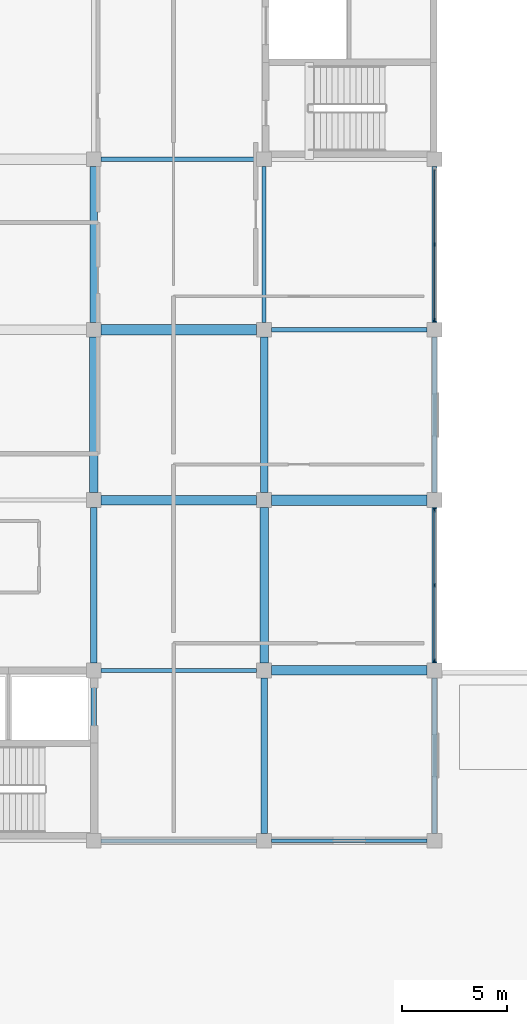
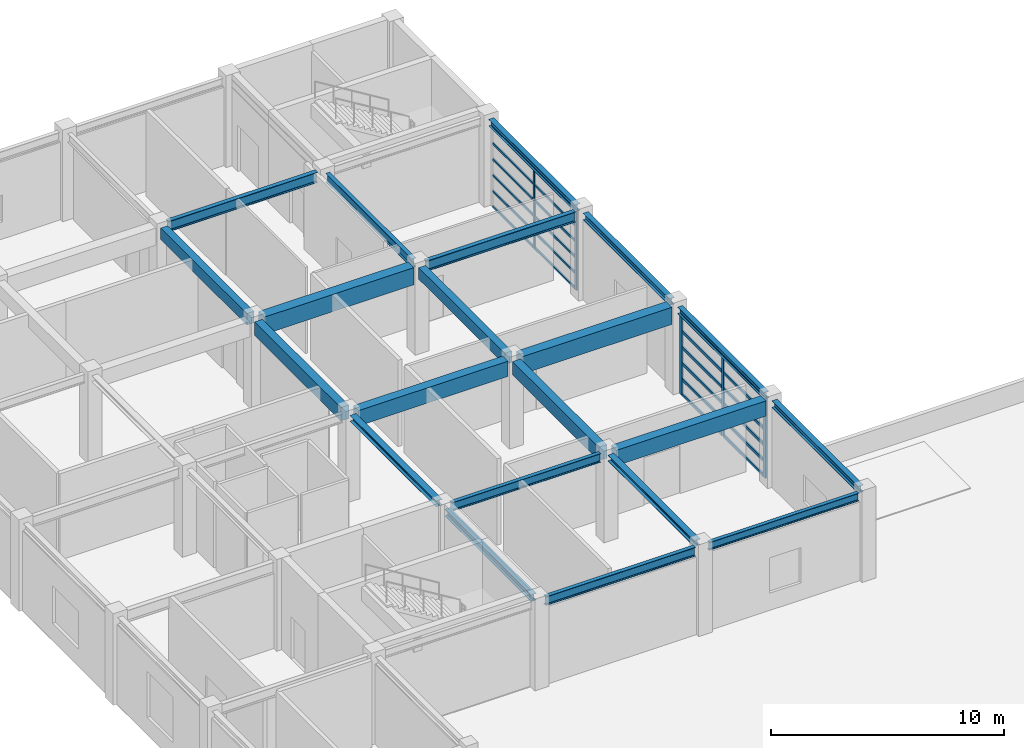
# One storey, part 29 of 56: 29 members, 21 beams, 2 elements without a shape of their own.
"""IFC4 building model written with IfcOpenShell, lengths in metres."""

import ifcopenshell
import ifcopenshell.guid

model = None  # the IFC model being written
_history = None  # IfcOwnerHistory: only IFC2X3 demands one
_inside = {}  # id of a spatial element -> (the spatial element, [elements in it])
_under = {}  # id of a project, library or spatial element -> (it, [spatial elements below it])
_declared = {}  # id of a project -> (the project, [libraries it declares])
_typed = {}  # id of a type object -> (the type object, [elements of that type])
_made_of = {}  # id of a material, layer set ... -> (it, [elements and type objects made of it])


def new_model(schema):
    """Start an empty IFC model of exactly this schema.

    Asked for "IFC4X3", IfcOpenShell would pick the latest addendum, in which some entities
    have other attributes; the version numbers below select the first issue.
    IFC2X3 requires an IfcOwnerHistory on every rooted entity: one is made here for all.
    """
    global model, _history
    if schema == "IFC4X3":
        model = ifcopenshell.file(schema_version=(4, 3, 0, 0))
    else:
        model = ifcopenshell.file(schema=schema)
    _inside.clear()
    _under.clear()
    _declared.clear()
    _typed.clear()
    _made_of.clear()
    _history = None
    if model.schema == "IFC2X3":
        org = make("IfcOrganization", Name="unknown")
        user = make(
            "IfcPersonAndOrganization",
            ThePerson=make("IfcPerson", FamilyName="unknown"),
            TheOrganization=org,
        )
        app = make(
            "IfcApplication",
            ApplicationDeveloper=org,
            Version="unknown",
            ApplicationFullName="unknown",
            ApplicationIdentifier="unknown",
        )
        _history = make(
            "IfcOwnerHistory",
            OwningUser=user,
            OwningApplication=app,
            ChangeAction="ADDED",
            CreationDate=0,
        )
    return model


def make(cls, **values):
    """One entity of the class cls with the attributes given. An attribute that is None is left unset."""
    return model.create_entity(
        cls, **{name: value for name, value in values.items() if value is not None}
    )


def rooted(cls, **values):
    """An entity with a GlobalId (a new one), such as an element, a storey or a relation."""
    return make(cls, GlobalId=ifcopenshell.guid.new(), OwnerHistory=_history, **values)


def si_unit(unit_type, name, prefix=None):
    """IfcSIUnit, for example si_unit("LENGTHUNIT", "METRE", prefix="MILLI")."""
    return make("IfcSIUnit", UnitType=unit_type, Prefix=prefix, Name=name)


def assignment(units):
    """IfcUnitAssignment: the units of a project."""
    return None if units is None else make("IfcUnitAssignment", Units=units)


def point(xyz):
    """IfcCartesianPoint."""
    return None if xyz is None else make("IfcCartesianPoint", Coordinates=xyz)


def direction(xyz):
    """IfcDirection."""
    return None if xyz is None else make("IfcDirection", DirectionRatios=xyz)


def frame(location, z_axis=None, x_axis=None):
    """IfcAxis2Placement3D, a coordinate frame: its origin and axes. An axis left out is left unset."""
    return make(
        "IfcAxis2Placement3D",
        Location=point(location),
        Axis=direction(z_axis),
        RefDirection=direction(x_axis),
    )


def frame_2d(location, x_axis=None):
    """IfcAxis2Placement2D, a coordinate frame in the plane: its origin and x axis."""
    return make(
        "IfcAxis2Placement2D", Location=point(location), RefDirection=direction(x_axis)
    )


def origin():
    """The frame at (0, 0, 0) with its axes left unset."""
    return frame((0.0, 0.0, 0.0))


def origin_2d():
    """The frame at (0, 0) in the plane with its x axis left unset."""
    return frame_2d((0.0, 0.0))


def place(relative_to, where):
    """IfcLocalPlacement: puts the frame where relative to a parent placement (None: the world)."""
    return make(
        "IfcLocalPlacement", PlacementRelTo=relative_to, RelativePlacement=where
    )


def context(
    kind, dimensions, precision=None, world=None, true_north=None, identifier=None
):
    """IfcGeometricRepresentationContext, for example the 3D "Model" context."""
    return make(
        "IfcGeometricRepresentationContext",
        ContextIdentifier=identifier,
        ContextType=kind,
        CoordinateSpaceDimension=dimensions,
        Precision=precision,
        WorldCoordinateSystem=world,
        TrueNorth=true_north,
    )


def subcontext(parent, identifier, kind, view, scale=None):
    """IfcGeometricRepresentationSubContext, for example "Body" below "Model"."""
    return make(
        "IfcGeometricRepresentationSubContext",
        ContextIdentifier=identifier,
        ContextType=kind,
        ParentContext=parent,
        TargetScale=scale,
        TargetView=view,
    )


def project(units=None, contexts=None):
    """IfcProject with its units and contexts."""
    return rooted(
        "IfcProject",
        Name="project",
        RepresentationContexts=contexts,
        UnitsInContext=assignment(units),
    )


def spatial(cls, under=None, at=None, **own):
    """A site, building, storey or space (cls), placed at a placement, below another one or the project."""
    s = rooted(cls, ObjectPlacement=at, **own)
    if under is not None:
        _under.setdefault(under.id(), (under, []))[1].append(s)
    return s


def profile(cls, at=None, kind="AREA", **sizes):
    """A parametric profile (cls). Its sizes go by their IFC names, for example OverallWidth=200.0."""
    return make(cls, ProfileType=kind, Position=at, **sizes)


def rectangle(**sizes):
    """IfcRectangleProfileDef."""
    return profile("IfcRectangleProfileDef", **sizes)


def i_section(**sizes):
    """IfcIShapeProfileDef."""
    return profile("IfcIShapeProfileDef", **sizes)


def extrude(swept, where, along, depth):
    """IfcExtrudedAreaSolid: the profile swept, set in the frame where, extruded along a direction by depth."""
    return make(
        "IfcExtrudedAreaSolid",
        SweptArea=swept,
        Position=where,
        ExtrudedDirection=direction(along),
        Depth=depth,
    )


def shape(context_of_items, identifier, shape_type, items):
    """IfcShapeRepresentation: the items that make up one representation, for example the "Body"."""
    return make(
        "IfcShapeRepresentation",
        ContextOfItems=context_of_items,
        RepresentationIdentifier=identifier,
        RepresentationType=shape_type,
        Items=items,
    )


def material(Name=None, Category=None):
    """IfcMaterial."""
    return make("IfcMaterial", Name=Name, Category=Category)


def material_profile(
    of_material, cross_section, Name=None, Category=None, Priority=None
):
    """IfcMaterialProfile: a cross section and its material."""
    return make(
        "IfcMaterialProfile",
        Name=Name,
        Material=of_material,
        Profile=cross_section,
        Priority=Priority,
        Category=Category,
    )


def profile_set(profiles, Name=None, composite=None):
    """IfcMaterialProfileSet."""
    return make(
        "IfcMaterialProfileSet",
        Name=Name,
        MaterialProfiles=profiles,
        CompositeProfile=composite,
    )


def made_of(thing, what):
    """Note that an element or type object is made of a material, layer set ...; save() writes the relation."""
    if what is not None:
        _made_of.setdefault(what.id(), (what, []))[1].append(thing)
    return thing


def type_object(cls, material=None, **own):
    """A type object (cls), such as IfcWallType, which elements share."""
    return made_of(rooted(cls, **own), material)


def element(
    cls,
    number,
    at=None,
    inside=None,
    cuts=None,
    type_object=None,
    material=None,
    context=None,
    identifier="Body",
    shape_type=None,
    held_by="IfcProductDefinitionShape",
    body=None,
    shapes=None,
    **own,
):
    """One element of the class cls, such as IfcWall. Its Tag is "e" and its number.

    at: its placement. inside: the storey or other place that contains it. cuts: it is an
    opening in that element (IfcRelVoidsElement). A single representation is given by context,
    identifier, shape_type and body (its items); several are given by shapes. held_by: the class
    of the entity that holds the representations. save() writes the other relations.
    """
    e = rooted(cls, Tag="e%d" % number, ObjectPlacement=at, **own)
    if body is not None:
        shapes = [shape(context, identifier, shape_type, body)]
    if shapes is not None:
        e.Representation = make(held_by, Representations=shapes)
    if inside is not None:
        _inside.setdefault(inside.id(), (inside, []))[1].append(e)
    if cuts is not None:
        rooted(
            "IfcRelVoidsElement", RelatingBuildingElement=cuts, RelatedOpeningElement=e
        )
    if type_object is not None:
        _typed.setdefault(type_object.id(), (type_object, []))[1].append(e)
    return made_of(e, material)


def aggregate(whole, parts):
    """IfcRelAggregates: a whole, such as a stair, and the parts it consists of."""
    return rooted("IfcRelAggregates", RelatingObject=whole, RelatedObjects=parts)


def save(model, path):
    """Write the relations noted so far, then the file.

    IfcRelAggregates (storeys below a building ...), IfcRelContainedInSpatialStructure (elements
    in a storey), IfcRelDefinesByType, IfcRelAssociatesMaterial and IfcRelDeclares: one each for
    every whole, place, type object, material and project.
    """
    for whole, parts in _under.values():
        aggregate(whole, parts)
    for where, things in _inside.values():
        rooted(
            "IfcRelContainedInSpatialStructure",
            RelatedElements=things,
            RelatingStructure=where,
        )
    for kind, things in _typed.values():
        rooted("IfcRelDefinesByType", RelatedObjects=things, RelatingType=kind)
    for what, things in _made_of.values():
        rooted("IfcRelAssociatesMaterial", RelatedObjects=things, RelatingMaterial=what)
    for by, libraries in _declared.values():
        rooted("IfcRelDeclares", RelatingContext=by, RelatedDefinitions=libraries)
    model.write(path)


model = new_model("IFC4")

# Units and contexts
model_context = context("Model", 3, precision=1e-05, world=origin(), true_north=direction((0.0, 1.0)))
body_context = subcontext(model_context, "Body", "Model", "MODEL_VIEW")
ifc_project = project(units=[si_unit("LENGTHUNIT", "METRE"), si_unit("AREAUNIT", "SQUARE_METRE"), si_unit("VOLUMEUNIT", "CUBIC_METRE"), si_unit("PLANEANGLEUNIT", "RADIAN"), si_unit("MASSUNIT", "GRAM", prefix="KILO")], contexts=[model_context])

# Site, building, storey
site_placement = place(None, origin())
site = spatial("IfcSite", under=ifc_project, at=site_placement, CompositionType="ELEMENT")
building_placement = place(site_placement, origin())
building = spatial("IfcBuilding", under=site, at=building_placement, Name="Parian Resonance Hall", CompositionType="ELEMENT")
storey_placement = place(building_placement, frame((0.0, 0.0, 5.39990234375)))
storey = spatial("IfcBuildingStorey", under=building, at=storey_placement, Name="L01", CompositionType="ELEMENT", Elevation=5.39990234375)

# Beams
ifc_material_1 = material(Name="Concrete C40/50", Category="concrete")
ifc_material_profile_1 = material_profile(ifc_material_1, rectangle(XDim=0.35009765625, YDim=0.60009765625, at=origin_2d()), Name="RC-BM-350x600")
ifc_profile_set_1 = profile_set([ifc_material_profile_1], Name="Concrete C40/50")
beam_type_1 = type_object("IfcBeamType", Name="BM-RC350x600", PredefinedType="BEAM", material=ifc_profile_set_1)
beam_1_placement = place(storey_placement, frame((129.60009765625, 73.25, 4.22998046875), z_axis=(0.0, 1.0, 0.0), x_axis=(-1.0, 0.0, 0.0)))
element("IfcBeam", 1, at=beam_1_placement, inside=storey, type_object=beam_type_1, Name="GY-L01-0646", PredefinedType="BEAM", context=body_context, shape_type="SweptSolid", body=[
    extrude(rectangle(XDim=0.35009765625, YDim=0.60009765625, at=origin_2d()), origin(), (0.0, 0.0, 1.0), 7.39990234375),
])
beam_2_placement = place(storey_placement, frame((137.699951171875, 65.14990234375, 4.22998046875), z_axis=(0.0, 1.0, 0.0), x_axis=(-1.0, 0.0, 0.0)))
element("IfcBeam", 2, at=beam_2_placement, inside=storey, type_object=beam_type_1, Name="GY-L01-0650", PredefinedType="BEAM", context=body_context, shape_type="SweptSolid", body=[
    extrude(rectangle(XDim=0.35009765625, YDim=0.60009765625, at=origin_2d()), origin(), (0.0, 0.0, 1.0), 7.400146484375),
])
ifc_material_2 = material(Name="Concrete C40/50", Category="concrete")
ifc_material_profile_2 = material_profile(ifc_material_2, rectangle(XDim=0.39990234375, YDim=0.699951171875, at=origin_2d()), Name="RC-BM-400x700")
ifc_profile_set_2 = profile_set([ifc_material_profile_2], Name="Concrete C40/50")
beam_type_2 = type_object("IfcBeamType", Name="BM-RC400x700", PredefinedType="BEAM", material=ifc_profile_set_2)
beam_3_placement = place(storey_placement, frame((129.60009765625, 65.14990234375, 4.18017578125), z_axis=(0.0, 1.0, 0.0), x_axis=(-1.0, 0.0, 0.0)))
element("IfcBeam", 3, at=beam_3_placement, inside=storey, type_object=beam_type_2, Name="GY-L01-0645", PredefinedType="BEAM", context=body_context, shape_type="SweptSolid", body=[
    extrude(rectangle(XDim=0.39990234375, YDim=0.699951171875, at=origin_2d()), origin(), (0.0, 0.0, 1.0), 7.400146484375),
])
beam_4_placement = place(storey_placement, frame((137.699951171875, 57.050048828125, 4.18017578125), z_axis=(0.0, 1.0, 0.0), x_axis=(-1.0, 0.0, 0.0)))
element("IfcBeam", 4, at=beam_4_placement, inside=storey, type_object=beam_type_2, Name="GY-L01-0649", PredefinedType="BEAM", context=body_context, shape_type="SweptSolid", body=[
    extrude(rectangle(XDim=0.39990234375, YDim=0.699951171875, at=origin_2d()), origin(), (0.0, 0.0, 1.0), 7.39990234375),
])
ifc_material_3 = material(Name="Concrete C40/50", Category="concrete")
ifc_material_profile_3 = material_profile(ifc_material_3, rectangle(XDim=0.449951171875, YDim=0.800048828125, at=origin_2d()), Name="RC-BM-450x800")
ifc_profile_set_3 = profile_set([ifc_material_profile_3], Name="Concrete C40/50")
beam_type_3 = type_object("IfcBeamType", Name="BM-RC450x800", PredefinedType="USERDEFINED", material=ifc_profile_set_3)
beam_5_placement = place(storey_placement, frame((129.949951171875, 64.800048828125, 4.130126953125), z_axis=(1.0, 0.0, 0.0), x_axis=(0.0, 1.0, 0.0)))
element("IfcBeam", 5, at=beam_5_placement, inside=storey, type_object=beam_type_3, Name="GX-L01-0583", ObjectType="GIRDER", PredefinedType="USERDEFINED", context=body_context, shape_type="SweptSolid", body=[
    extrude(rectangle(XDim=0.449951171875, YDim=0.800048828125, at=origin_2d()), origin(), (0.0, 0.0, 1.0), 7.400146484375),
])
beam_6_placement = place(storey_placement, frame((138.050048828125, 56.699951171875, 4.130126953125), z_axis=(1.0, 0.0, 0.0), x_axis=(0.0, 1.0, 0.0)))
element("IfcBeam", 6, at=beam_6_placement, inside=storey, type_object=beam_type_3, Name="GX-L01-0588", ObjectType="GIRDER", PredefinedType="USERDEFINED", context=body_context, shape_type="SweptSolid", body=[
    extrude(rectangle(XDim=0.449951171875, YDim=0.800048828125, at=origin_2d()), origin(), (0.0, 0.0, 1.0), 7.39990234375),
])
ifc_material_4 = material(Name="Concrete C40/50", Category="concrete")
ifc_material_profile_4 = material_profile(ifc_material_4, rectangle(XDim=0.5, YDim=0.89990234375, at=origin_2d()), Name="RC-BM-500x900")
ifc_profile_set_4 = profile_set([ifc_material_profile_4], Name="Concrete C40/50")
beam_type_4 = type_object("IfcBeamType", Name="BM-RC500x900", PredefinedType="USERDEFINED", material=ifc_profile_set_4)
beam_7_placement = place(storey_placement, frame((129.949951171875, 72.89990234375, 4.080078125), z_axis=(1.0, 0.0, 0.0), x_axis=(0.0, 1.0, 0.0)))
element("IfcBeam", 7, at=beam_7_placement, inside=storey, type_object=beam_type_4, Name="GX-L01-0584", ObjectType="GIRDER", PredefinedType="USERDEFINED", context=body_context, shape_type="SweptSolid", body=[
    extrude(rectangle(XDim=0.5, YDim=0.89990234375, at=origin_2d()), origin(), (0.0, 0.0, 1.0), 7.400146484375),
])
beam_8_placement = place(storey_placement, frame((138.050048828125, 64.800048828125, 4.080078125), z_axis=(1.0, 0.0, 0.0), x_axis=(0.0, 1.0, 0.0)))
element("IfcBeam", 8, at=beam_8_placement, inside=storey, type_object=beam_type_4, Name="GX-L01-0589", ObjectType="GIRDER", PredefinedType="USERDEFINED", context=body_context, shape_type="SweptSolid", body=[
    extrude(rectangle(XDim=0.5, YDim=0.89990234375, at=origin_2d()), origin(), (0.0, 0.0, 1.0), 7.39990234375),
])
ifc_material_5 = material(Name="Steel S355", Category="steel")
ifc_material_profile_5 = material_profile(ifc_material_5, i_section(OverallWidth=0.304931640625, OverallDepth=0.30810546875, WebThickness=0.010009765625, FlangeThickness=0.015380859375, FilletRadius=0.01513671875, at=origin_2d()), Name="W310x97")
ifc_profile_set_5 = profile_set([ifc_material_profile_5], Name="Steel S355")
beam_type_5 = type_object("IfcBeamType", Name="BM-W310x97", PredefinedType="BEAM", material=ifc_profile_set_5)
beam_9_placement = place(storey_placement, frame((129.60009765625, 57.050048828125, 4.3759765625), z_axis=(0.0, 1.0, 0.0), x_axis=(-1.0, 0.0, 0.0)))
element("IfcBeam", 9, at=beam_9_placement, inside=storey, type_object=beam_type_5, Name="GY-L01-0644", PredefinedType="BEAM", context=body_context, shape_type="SweptSolid", body=[
    extrude(i_section(OverallWidth=0.304931640625, OverallDepth=0.30810546875, WebThickness=0.010009765625, FlangeThickness=0.015380859375, FilletRadius=0.01513671875, at=origin_2d()), origin(), (0.0, 0.0, 1.0), 7.39990234375),
])
beam_10_placement = place(storey_placement, frame((137.699951171875, 48.949951171875, 4.3759765625), z_axis=(0.0, 1.0, 0.0), x_axis=(-1.0, 0.0, 0.0)))
element("IfcBeam", 10, at=beam_10_placement, inside=storey, type_object=beam_type_5, Name="GY-L01-0648", PredefinedType="BEAM", context=body_context, shape_type="SweptSolid", body=[
    extrude(i_section(OverallWidth=0.304931640625, OverallDepth=0.30810546875, WebThickness=0.010009765625, FlangeThickness=0.015380859375, FilletRadius=0.01513671875, at=origin_2d()), origin(), (0.0, 0.0, 1.0), 7.400146484375),
])
ifc_material_6 = material(Name="Steel S355", Category="steel")
ifc_material_profile_6 = material_profile(ifc_material_6, i_section(OverallWidth=0.2548828125, OverallDepth=0.35693359375, WebThickness=0.010498046875, FlangeThickness=0.018310546875, FilletRadius=0.01513671875, at=origin_2d()), Name="W360x101")
ifc_profile_set_6 = profile_set([ifc_material_profile_6], Name="Steel S355")
beam_type_6 = type_object("IfcBeamType", Name="BM-W360x101", PredefinedType="SPANDREL", material=ifc_profile_set_6)
for number, where, z_axis, x_axis, name in (
    (11, (129.60009765625, 48.949951171875, 4.3515625), (0.0, 1.0, 0.0), (-1.0, 0.0, 0.0), "GY-L01-0643"),
    (12, (145.800048828125, 48.949951171875, 4.3515625), (0.0, 1.0, 0.0), (-1.0, 0.0, 0.0), "GY-L01-0653"),
):
    element("IfcBeam", number, at=place(storey_placement, frame(where, z_axis=z_axis, x_axis=x_axis)), inside=storey, type_object=beam_type_6, Name=name, PredefinedType="SPANDREL", context=body_context, shape_type="SweptSolid", body=[
        extrude(i_section(OverallWidth=0.2548828125, OverallDepth=0.35693359375, WebThickness=0.010498046875, FlangeThickness=0.018310546875, FilletRadius=0.01513671875, at=origin_2d()), origin(), (0.0, 0.0, 1.0), 7.400146484375),
    ])
beam_11_placement = place(storey_placement, frame((145.800048828125, 57.050048828125, 4.3515625), z_axis=(0.0, 1.0, 0.0), x_axis=(-1.0, 0.0, 0.0)))
element("IfcBeam", 13, at=beam_11_placement, inside=storey, type_object=beam_type_6, Name="GY-L01-0654", PredefinedType="SPANDREL", context=body_context, shape_type="SweptSolid", body=[
    extrude(i_section(OverallWidth=0.2548828125, OverallDepth=0.35693359375, WebThickness=0.010498046875, FlangeThickness=0.018310546875, FilletRadius=0.01513671875, at=origin_2d()), origin(), (0.0, 0.0, 1.0), 7.39990234375),
])
beam_12_placement = place(storey_placement, frame((145.800048828125, 65.14990234375, 4.3515625), z_axis=(0.0, 1.0, 0.0), x_axis=(-1.0, 0.0, 0.0)))
element("IfcBeam", 14, at=beam_12_placement, inside=storey, type_object=beam_type_6, Name="GY-L01-0655", PredefinedType="SPANDREL", context=body_context, shape_type="SweptSolid", body=[
    extrude(i_section(OverallWidth=0.2548828125, OverallDepth=0.35693359375, WebThickness=0.010498046875, FlangeThickness=0.018310546875, FilletRadius=0.01513671875, at=origin_2d()), origin(), (0.0, 0.0, 1.0), 7.400146484375),
])
beam_13_placement = place(storey_placement, frame((145.800048828125, 73.25, 4.3515625), z_axis=(0.0, 1.0, 0.0), x_axis=(-1.0, 0.0, 0.0)))
element("IfcBeam", 15, at=beam_13_placement, inside=storey, type_object=beam_type_6, Name="GY-L01-0656", PredefinedType="SPANDREL", context=body_context, shape_type="SweptSolid", body=[
    extrude(i_section(OverallWidth=0.2548828125, OverallDepth=0.35693359375, WebThickness=0.010498046875, FlangeThickness=0.018310546875, FilletRadius=0.01513671875, at=origin_2d()), origin(), (0.0, 0.0, 1.0), 7.39990234375),
])
ifc_material_7 = material(Name="Steel S355", Category="steel")
ifc_material_profile_7 = material_profile(ifc_material_7, i_section(OverallWidth=0.180908203125, OverallDepth=0.4169921875, WebThickness=0.010986328125, FlangeThickness=0.018310546875, FilletRadius=0.01513671875, at=origin_2d()), Name="W410x85")
ifc_profile_set_7 = profile_set([ifc_material_profile_7], Name="Steel S355")
beam_type_7 = type_object("IfcBeamType", Name="BM-W410x85", PredefinedType="SPANDREL", material=ifc_profile_set_7)
beam_14_placement = place(storey_placement, frame((138.050048828125, 48.60009765625, 4.321533203125), z_axis=(1.0, 0.0, 0.0), x_axis=(0.0, 1.0, 0.0)))
element("IfcBeam", 16, at=beam_14_placement, inside=storey, type_object=beam_type_7, Name="GX-L01-0587", PredefinedType="SPANDREL", context=body_context, shape_type="SweptSolid", body=[
    extrude(i_section(OverallWidth=0.180908203125, OverallDepth=0.4169921875, WebThickness=0.010986328125, FlangeThickness=0.018310546875, FilletRadius=0.01513671875, at=origin_2d()), origin(), (0.0, 0.0, 1.0), 7.39990234375),
])
ifc_material_8 = material(Name="Steel S355", Category="steel")
ifc_material_profile_8 = material_profile(ifc_material_8, i_section(OverallWidth=0.194091796875, OverallDepth=0.468994140625, WebThickness=0.0126953125, FlangeThickness=0.0205078125, FilletRadius=0.01513671875, at=origin_2d()), Name="W460x106")
ifc_profile_set_8 = profile_set([ifc_material_profile_8], Name="Steel S355")
beam_type_8 = type_object("IfcBeamType", Name="BM-W460x106", PredefinedType="SPANDREL", material=ifc_profile_set_8)
beam_15_placement = place(storey_placement, frame((129.949951171875, 48.60009765625, 4.295654296875), z_axis=(1.0, 0.0, 0.0), x_axis=(0.0, 1.0, 0.0)))
element("IfcBeam", 17, at=beam_15_placement, inside=storey, type_object=beam_type_8, Name="GX-L01-0581", PredefinedType="SPANDREL", context=body_context, shape_type="SweptSolid", body=[
    extrude(i_section(OverallWidth=0.194091796875, OverallDepth=0.468994140625, WebThickness=0.0126953125, FlangeThickness=0.0205078125, FilletRadius=0.01513671875, at=origin_2d()), origin(), (0.0, 0.0, 1.0), 7.400146484375),
])
beam_16_placement = place(storey_placement, frame((137.699951171875, 73.25, 4.295654296875), z_axis=(0.0, 1.0, 0.0), x_axis=(-1.0, 0.0, 0.0)))
element("IfcBeam", 18, at=beam_16_placement, inside=storey, type_object=beam_type_8, Name="GY-L01-0651", PredefinedType="SPANDREL", context=body_context, shape_type="SweptSolid", body=[
    extrude(i_section(OverallWidth=0.194091796875, OverallDepth=0.468994140625, WebThickness=0.0126953125, FlangeThickness=0.0205078125, FilletRadius=0.01513671875, at=origin_2d()), origin(), (0.0, 0.0, 1.0), 7.39990234375),
])
ifc_material_9 = material(Name="Steel S355", Category="steel")
ifc_material_profile_9 = material_profile(ifc_material_9, i_section(OverallWidth=0.19091796875, OverallDepth=0.4599609375, WebThickness=0.010009765625, FlangeThickness=0.01611328125, FilletRadius=0.01513671875, at=origin_2d()), Name="W460x82")
ifc_profile_set_9 = profile_set([ifc_material_profile_9], Name="Steel S355")
beam_type_9 = type_object("IfcBeamType", Name="BM-W460x82", PredefinedType="BEAM", material=ifc_profile_set_9)
beam_17_placement = place(storey_placement, frame((129.949951171875, 56.699951171875, 4.300048828125), z_axis=(1.0, 0.0, 0.0), x_axis=(0.0, 1.0, 0.0)))
element("IfcBeam", 19, at=beam_17_placement, inside=storey, type_object=beam_type_9, Name="GX-L01-0582", PredefinedType="BEAM", context=body_context, shape_type="SweptSolid", body=[
    extrude(i_section(OverallWidth=0.19091796875, OverallDepth=0.4599609375, WebThickness=0.010009765625, FlangeThickness=0.01611328125, FilletRadius=0.01513671875, at=origin_2d()), origin(), (0.0, 0.0, 1.0), 7.400146484375),
])
ifc_material_10 = material(Name="Steel S355", Category="steel")
ifc_material_profile_10 = material_profile(ifc_material_10, i_section(OverallWidth=0.2119140625, OverallDepth=0.5439453125, WebThickness=0.01318359375, FlangeThickness=0.021240234375, FilletRadius=0.017822265625, at=origin_2d()), Name="W530x123")
ifc_profile_set_10 = profile_set([ifc_material_profile_10], Name="Steel S355")
beam_type_10 = type_object("IfcBeamType", Name="BM-W530x123", PredefinedType="USERDEFINED", material=ifc_profile_set_10)
beam_18_placement = place(storey_placement, frame((129.949951171875, 81.0, 4.258056640625), z_axis=(1.0, 0.0, 0.0), x_axis=(0.0, 1.0, 0.0)))
element("IfcBeam", 20, at=beam_18_placement, inside=storey, type_object=beam_type_10, Name="GX-L01-0585", ObjectType="GIRDER", PredefinedType="USERDEFINED", context=body_context, shape_type="SweptSolid", body=[
    extrude(i_section(OverallWidth=0.2119140625, OverallDepth=0.5439453125, WebThickness=0.01318359375, FlangeThickness=0.021240234375, FilletRadius=0.017822265625, at=origin_2d()), origin(), (0.0, 0.0, 1.0), 7.400146484375),
])
beam_19_placement = place(storey_placement, frame((138.050048828125, 72.89990234375, 4.258056640625), z_axis=(1.0, 0.0, 0.0), x_axis=(0.0, 1.0, 0.0)))
element("IfcBeam", 21, at=beam_19_placement, inside=storey, type_object=beam_type_10, Name="GX-L01-0590", ObjectType="GIRDER", PredefinedType="USERDEFINED", context=body_context, shape_type="SweptSolid", body=[
    extrude(i_section(OverallWidth=0.2119140625, OverallDepth=0.5439453125, WebThickness=0.01318359375, FlangeThickness=0.021240234375, FilletRadius=0.017822265625, at=origin_2d()), origin(), (0.0, 0.0, 1.0), 7.39990234375),
])

# Curtain wall, members
ifc_material_11 = material(Name="Bronze-anodised aluminium frame", Category="aluminium")
curtain_wall_type_1 = type_object("IfcCurtainWallType", Name="CW-SYS-04", PredefinedType="NOTDEFINED", material=ifc_material_11)
curtain_wall_1_placement = place(storey_placement, origin())
curtain_wall_1 = element("IfcCurtainWall", 22, at=curtain_wall_1_placement, inside=storey, type_object=curtain_wall_type_1, Name="Curtain wall CW-L01-145", PredefinedType="NOTDEFINED")
ifc_material_12 = material(Name="Bronze-anodised aluminium frame", Category="aluminium")
ifc_material_profile_11 = material_profile(ifc_material_12, rectangle(XDim=0.06494140625, YDim=0.159912109375, at=origin_2d()), Name="CWM-65x160")
ifc_profile_set_11 = profile_set([ifc_material_profile_11], Name="Bronze-anodised aluminium frame")
member_type_1 = type_object("IfcMemberType", Name="CWM-65x160", PredefinedType="MULLION", material=ifc_profile_set_11)
member_1_placement = place(storey_placement, frame((145.800048828125, 76.949951171875, -0.0078125), z_axis=(0.0, 0.0, 1.0), x_axis=(1.0, 0.0, 0.0)))
member_1 = element("IfcMember", 23, at=member_1_placement, type_object=member_type_1, Name="CW-04 mullion 2", PredefinedType="MULLION", context=body_context, shape_type="SweptSolid", body=[
    extrude(rectangle(XDim=0.06494140625, YDim=0.159912109375, at=origin_2d()), origin(), (0.0, 0.0, 1.0), 4.184814453125),
])
member_2_placement = place(storey_placement, frame((145.800048828125, 73.362548828125, -0.0078125), z_axis=(0.0, 0.0, 1.0), x_axis=(1.0, 0.0, 0.0)))
member_2 = element("IfcMember", 24, at=member_2_placement, type_object=member_type_1, Name="CW-04 mullion 3", PredefinedType="MULLION", context=body_context, shape_type="SweptSolid", body=[
    extrude(rectangle(XDim=0.06494140625, YDim=0.159912109375, at=origin_2d()), origin(), (0.0, 0.0, 1.0), 4.184814453125),
])

ifc_material_13 = material(Name="Bronze-anodised aluminium frame", Category="aluminium")
curtain_wall_type_2 = type_object("IfcCurtainWallType", Name="CW-SYS-02", PredefinedType="NOTDEFINED", material=ifc_material_13)
curtain_wall_2_placement = place(storey_placement, origin())
curtain_wall_2 = element("IfcCurtainWall", 25, at=curtain_wall_2_placement, inside=storey, type_object=curtain_wall_type_2, Name="Curtain wall CW-L01-144", PredefinedType="NOTDEFINED")
ifc_material_14 = material(Name="Bronze-anodised aluminium frame", Category="aluminium")
ifc_material_profile_12 = material_profile(ifc_material_14, rectangle(XDim=0.074951171875, YDim=0.199951171875, at=origin_2d()), Name="CWM-75x200")
ifc_profile_set_12 = profile_set([ifc_material_profile_12], Name="Bronze-anodised aluminium frame")
member_type_2 = type_object("IfcMemberType", Name="CWM-75x200", PredefinedType="MULLION", material=ifc_profile_set_12)
member_3_placement = place(storey_placement, frame((145.800048828125, 64.33251953125, -0.0078125), z_axis=(0.0, 0.0, 1.0), x_axis=(1.0, 0.0, 0.0)))
member_3 = element("IfcMember", 26, at=member_3_placement, type_object=member_type_2, Name="CW-02 mullion 1", PredefinedType="MULLION", context=body_context, shape_type="SweptSolid", body=[
    extrude(rectangle(XDim=0.074951171875, YDim=0.199951171875, at=origin_2d()), origin(), (0.0, 0.0, 1.0), 4.184814453125),
])
member_4_placement = place(storey_placement, frame((145.800048828125, 60.75, -0.0078125), z_axis=(0.0, 0.0, 1.0), x_axis=(1.0, 0.0, 0.0)))
member_4 = element("IfcMember", 27, at=member_4_placement, type_object=member_type_2, Name="CW-02 mullion 2", PredefinedType="MULLION", context=body_context, shape_type="SweptSolid", body=[
    extrude(rectangle(XDim=0.074951171875, YDim=0.199951171875, at=origin_2d()), origin(), (0.0, 0.0, 1.0), 4.184814453125),
])
member_5_placement = place(storey_placement, frame((145.800048828125, 57.16748046875, -0.0078125), z_axis=(0.0, 0.0, 1.0), x_axis=(1.0, 0.0, 0.0)))
member_5 = element("IfcMember", 28, at=member_5_placement, type_object=member_type_2, Name="CW-02 mullion 3", PredefinedType="MULLION", context=body_context, shape_type="SweptSolid", body=[
    extrude(rectangle(XDim=0.074951171875, YDim=0.199951171875, at=origin_2d()), origin(), (0.0, 0.0, 1.0), 4.184814453125),
])

# Member
ifc_material_15 = material(Name="Bronze-anodised aluminium frame", Category="aluminium")
ifc_material_profile_13 = material_profile(ifc_material_15, rectangle(XDim=0.06494140625, YDim=0.1201171875, at=origin_2d()), Name="CWT-65x120")
ifc_profile_set_13 = profile_set([ifc_material_profile_13], Name="Bronze-anodised aluminium frame")
member_type_3 = type_object("IfcMemberType", Name="CWT-65x120", PredefinedType="USERDEFINED", material=ifc_profile_set_13)
member_6_placement = place(storey_placement, frame((145.800048828125, 80.5048828125, 0.024658203125), z_axis=(0.0, -1.0, 0.0), x_axis=(1.0, 0.0, 0.0)))
member_6 = element("IfcMember", 29, at=member_6_placement, type_object=member_type_3, Name="CW-04 transom 1.1", ObjectType="TRANSOM", PredefinedType="USERDEFINED", context=body_context, shape_type="SweptSolid", body=[
    extrude(rectangle(XDim=0.06494140625, YDim=0.1201171875, at=origin_2d()), origin(), (0.0, 0.0, 1.0), 3.5224609375),
])

member_7_placement = place(storey_placement, frame((145.800048828125, 80.5048828125, 0.83349609375), z_axis=(0.0, -1.0, 0.0), x_axis=(1.0, 0.0, 0.0)))
member_7 = element("IfcMember", 30, at=member_7_placement, type_object=member_type_3, Name="CW-04 transom 1.2", ObjectType="TRANSOM", PredefinedType="USERDEFINED", context=body_context, shape_type="SweptSolid", body=[
    extrude(rectangle(XDim=0.06494140625, YDim=0.1201171875, at=origin_2d()), origin(), (0.0, 0.0, 1.0), 3.5224609375),
])

member_8_placement = place(storey_placement, frame((145.800048828125, 80.5048828125, 1.6669921875), z_axis=(0.0, -1.0, 0.0), x_axis=(1.0, 0.0, 0.0)))
member_8 = element("IfcMember", 31, at=member_8_placement, type_object=member_type_3, Name="CW-04 transom 1.3", ObjectType="TRANSOM", PredefinedType="USERDEFINED", context=body_context, shape_type="SweptSolid", body=[
    extrude(rectangle(XDim=0.06494140625, YDim=0.1201171875, at=origin_2d()), origin(), (0.0, 0.0, 1.0), 3.5224609375),
])

member_9_placement = place(storey_placement, frame((145.800048828125, 80.5048828125, 2.500244140625), z_axis=(0.0, -1.0, 0.0), x_axis=(1.0, 0.0, 0.0)))
member_9 = element("IfcMember", 32, at=member_9_placement, type_object=member_type_3, Name="CW-04 transom 1.4", ObjectType="TRANSOM", PredefinedType="USERDEFINED", context=body_context, shape_type="SweptSolid", body=[
    extrude(rectangle(XDim=0.06494140625, YDim=0.1201171875, at=origin_2d()), origin(), (0.0, 0.0, 1.0), 3.5224609375),
])

member_10_placement = place(storey_placement, frame((145.800048828125, 80.5048828125, 3.333740234375), z_axis=(0.0, -1.0, 0.0), x_axis=(1.0, 0.0, 0.0)))
member_10 = element("IfcMember", 33, at=member_10_placement, type_object=member_type_3, Name="CW-04 transom 1.5", ObjectType="TRANSOM", PredefinedType="USERDEFINED", context=body_context, shape_type="SweptSolid", body=[
    extrude(rectangle(XDim=0.06494140625, YDim=0.1201171875, at=origin_2d()), origin(), (0.0, 0.0, 1.0), 3.5224609375),
])

member_11_placement = place(storey_placement, frame((145.800048828125, 80.5048828125, 4.14453125), z_axis=(0.0, -1.0, 0.0), x_axis=(1.0, 0.0, 0.0)))
member_11 = element("IfcMember", 34, at=member_11_placement, type_object=member_type_3, Name="CW-04 transom 1.6", ObjectType="TRANSOM", PredefinedType="USERDEFINED", context=body_context, shape_type="SweptSolid", body=[
    extrude(rectangle(XDim=0.06494140625, YDim=0.1201171875, at=origin_2d()), origin(), (0.0, 0.0, 1.0), 3.5224609375),
])

member_12_placement = place(storey_placement, frame((145.800048828125, 76.91748046875, 0.024658203125), z_axis=(0.0, -1.0, 0.0), x_axis=(1.0, 0.0, 0.0)))
member_12 = element("IfcMember", 35, at=member_12_placement, type_object=member_type_3, Name="CW-04 transom 2.1", ObjectType="TRANSOM", PredefinedType="USERDEFINED", context=body_context, shape_type="SweptSolid", body=[
    extrude(rectangle(XDim=0.06494140625, YDim=0.1201171875, at=origin_2d()), origin(), (0.0, 0.0, 1.0), 3.5224609375),
])

member_13_placement = place(storey_placement, frame((145.800048828125, 76.91748046875, 0.83349609375), z_axis=(0.0, -1.0, 0.0), x_axis=(1.0, 0.0, 0.0)))
member_13 = element("IfcMember", 36, at=member_13_placement, type_object=member_type_3, Name="CW-04 transom 2.2", ObjectType="TRANSOM", PredefinedType="USERDEFINED", context=body_context, shape_type="SweptSolid", body=[
    extrude(rectangle(XDim=0.06494140625, YDim=0.1201171875, at=origin_2d()), origin(), (0.0, 0.0, 1.0), 3.5224609375),
])

member_14_placement = place(storey_placement, frame((145.800048828125, 76.91748046875, 1.6669921875), z_axis=(0.0, -1.0, 0.0), x_axis=(1.0, 0.0, 0.0)))
member_14 = element("IfcMember", 37, at=member_14_placement, type_object=member_type_3, Name="CW-04 transom 2.3", ObjectType="TRANSOM", PredefinedType="USERDEFINED", context=body_context, shape_type="SweptSolid", body=[
    extrude(rectangle(XDim=0.06494140625, YDim=0.1201171875, at=origin_2d()), origin(), (0.0, 0.0, 1.0), 3.5224609375),
])

member_15_placement = place(storey_placement, frame((145.800048828125, 76.91748046875, 2.500244140625), z_axis=(0.0, -1.0, 0.0), x_axis=(1.0, 0.0, 0.0)))
member_15 = element("IfcMember", 38, at=member_15_placement, type_object=member_type_3, Name="CW-04 transom 2.4", ObjectType="TRANSOM", PredefinedType="USERDEFINED", context=body_context, shape_type="SweptSolid", body=[
    extrude(rectangle(XDim=0.06494140625, YDim=0.1201171875, at=origin_2d()), origin(), (0.0, 0.0, 1.0), 3.5224609375),
])

member_16_placement = place(storey_placement, frame((145.800048828125, 76.91748046875, 3.333740234375), z_axis=(0.0, -1.0, 0.0), x_axis=(1.0, 0.0, 0.0)))
member_16 = element("IfcMember", 39, at=member_16_placement, type_object=member_type_3, Name="CW-04 transom 2.5", ObjectType="TRANSOM", PredefinedType="USERDEFINED", context=body_context, shape_type="SweptSolid", body=[
    extrude(rectangle(XDim=0.06494140625, YDim=0.1201171875, at=origin_2d()), origin(), (0.0, 0.0, 1.0), 3.5224609375),
])

member_17_placement = place(storey_placement, frame((145.800048828125, 76.91748046875, 4.14453125), z_axis=(0.0, -1.0, 0.0), x_axis=(1.0, 0.0, 0.0)))
member_17 = element("IfcMember", 40, at=member_17_placement, type_object=member_type_3, Name="CW-04 transom 2.6", ObjectType="TRANSOM", PredefinedType="USERDEFINED", context=body_context, shape_type="SweptSolid", body=[
    extrude(rectangle(XDim=0.06494140625, YDim=0.1201171875, at=origin_2d()), origin(), (0.0, 0.0, 1.0), 3.5224609375),
])

aggregate(curtain_wall_1, [member_1, member_2, member_6, member_7, member_8, member_9, member_10, member_11, member_12, member_13, member_14, member_15, member_16, member_17])

ifc_material_16 = material(Name="Bronze-anodised aluminium frame", Category="aluminium")
ifc_material_profile_14 = material_profile(ifc_material_16, rectangle(XDim=0.074951171875, YDim=0.14990234375, at=origin_2d()), Name="CWT-75x150")
ifc_profile_set_14 = profile_set([ifc_material_profile_14], Name="Bronze-anodised aluminium frame")
member_type_4 = type_object("IfcMemberType", Name="CWT-75x150", PredefinedType="USERDEFINED", material=ifc_profile_set_14)
member_18_placement = place(storey_placement, frame((145.800048828125, 64.294921875, 0.029541015625), z_axis=(0.0, -1.0, 0.0), x_axis=(1.0, 0.0, 0.0)))
member_18 = element("IfcMember", 41, at=member_18_placement, type_object=member_type_4, Name="CW-02 transom 1.1", ObjectType="TRANSOM", PredefinedType="USERDEFINED", context=body_context, shape_type="SweptSolid", body=[
    extrude(rectangle(XDim=0.074951171875, YDim=0.14990234375, at=origin_2d()), origin(), (0.0, 0.0, 1.0), 3.50732421875),
])

member_19_placement = place(storey_placement, frame((145.800048828125, 64.294921875, 0.83349609375), z_axis=(0.0, -1.0, 0.0), x_axis=(1.0, 0.0, 0.0)))
member_19 = element("IfcMember", 42, at=member_19_placement, type_object=member_type_4, Name="CW-02 transom 1.2", ObjectType="TRANSOM", PredefinedType="USERDEFINED", context=body_context, shape_type="SweptSolid", body=[
    extrude(rectangle(XDim=0.074951171875, YDim=0.14990234375, at=origin_2d()), origin(), (0.0, 0.0, 1.0), 3.50732421875),
])

member_20_placement = place(storey_placement, frame((145.800048828125, 64.294921875, 1.6669921875), z_axis=(0.0, -1.0, 0.0), x_axis=(1.0, 0.0, 0.0)))
member_20 = element("IfcMember", 43, at=member_20_placement, type_object=member_type_4, Name="CW-02 transom 1.3", ObjectType="TRANSOM", PredefinedType="USERDEFINED", context=body_context, shape_type="SweptSolid", body=[
    extrude(rectangle(XDim=0.074951171875, YDim=0.14990234375, at=origin_2d()), origin(), (0.0, 0.0, 1.0), 3.50732421875),
])

member_21_placement = place(storey_placement, frame((145.800048828125, 64.294921875, 2.500244140625), z_axis=(0.0, -1.0, 0.0), x_axis=(1.0, 0.0, 0.0)))
member_21 = element("IfcMember", 44, at=member_21_placement, type_object=member_type_4, Name="CW-02 transom 1.4", ObjectType="TRANSOM", PredefinedType="USERDEFINED", context=body_context, shape_type="SweptSolid", body=[
    extrude(rectangle(XDim=0.074951171875, YDim=0.14990234375, at=origin_2d()), origin(), (0.0, 0.0, 1.0), 3.50732421875),
])

member_22_placement = place(storey_placement, frame((145.800048828125, 64.294921875, 3.333740234375), z_axis=(0.0, -1.0, 0.0), x_axis=(1.0, 0.0, 0.0)))
member_22 = element("IfcMember", 45, at=member_22_placement, type_object=member_type_4, Name="CW-02 transom 1.5", ObjectType="TRANSOM", PredefinedType="USERDEFINED", context=body_context, shape_type="SweptSolid", body=[
    extrude(rectangle(XDim=0.074951171875, YDim=0.14990234375, at=origin_2d()), origin(), (0.0, 0.0, 1.0), 3.50732421875),
])

member_23_placement = place(storey_placement, frame((145.800048828125, 64.294921875, 4.1396484375), z_axis=(0.0, -1.0, 0.0), x_axis=(1.0, 0.0, 0.0)))
member_23 = element("IfcMember", 46, at=member_23_placement, type_object=member_type_4, Name="CW-02 transom 1.6", ObjectType="TRANSOM", PredefinedType="USERDEFINED", context=body_context, shape_type="SweptSolid", body=[
    extrude(rectangle(XDim=0.074951171875, YDim=0.14990234375, at=origin_2d()), origin(), (0.0, 0.0, 1.0), 3.50732421875),
])

member_24_placement = place(storey_placement, frame((145.800048828125, 60.71240234375, 0.029541015625), z_axis=(0.0, -1.0, 0.0), x_axis=(1.0, 0.0, 0.0)))
member_24 = element("IfcMember", 47, at=member_24_placement, type_object=member_type_4, Name="CW-02 transom 2.1", ObjectType="TRANSOM", PredefinedType="USERDEFINED", context=body_context, shape_type="SweptSolid", body=[
    extrude(rectangle(XDim=0.074951171875, YDim=0.14990234375, at=origin_2d()), origin(), (0.0, 0.0, 1.0), 3.50732421875),
])

member_25_placement = place(storey_placement, frame((145.800048828125, 60.71240234375, 0.83349609375), z_axis=(0.0, -1.0, 0.0), x_axis=(1.0, 0.0, 0.0)))
member_25 = element("IfcMember", 48, at=member_25_placement, type_object=member_type_4, Name="CW-02 transom 2.2", ObjectType="TRANSOM", PredefinedType="USERDEFINED", context=body_context, shape_type="SweptSolid", body=[
    extrude(rectangle(XDim=0.074951171875, YDim=0.14990234375, at=origin_2d()), origin(), (0.0, 0.0, 1.0), 3.50732421875),
])

member_26_placement = place(storey_placement, frame((145.800048828125, 60.71240234375, 1.6669921875), z_axis=(0.0, -1.0, 0.0), x_axis=(1.0, 0.0, 0.0)))
member_26 = element("IfcMember", 49, at=member_26_placement, type_object=member_type_4, Name="CW-02 transom 2.3", ObjectType="TRANSOM", PredefinedType="USERDEFINED", context=body_context, shape_type="SweptSolid", body=[
    extrude(rectangle(XDim=0.074951171875, YDim=0.14990234375, at=origin_2d()), origin(), (0.0, 0.0, 1.0), 3.50732421875),
])

member_27_placement = place(storey_placement, frame((145.800048828125, 60.71240234375, 2.500244140625), z_axis=(0.0, -1.0, 0.0), x_axis=(1.0, 0.0, 0.0)))
member_27 = element("IfcMember", 50, at=member_27_placement, type_object=member_type_4, Name="CW-02 transom 2.4", ObjectType="TRANSOM", PredefinedType="USERDEFINED", context=body_context, shape_type="SweptSolid", body=[
    extrude(rectangle(XDim=0.074951171875, YDim=0.14990234375, at=origin_2d()), origin(), (0.0, 0.0, 1.0), 3.50732421875),
])

member_28_placement = place(storey_placement, frame((145.800048828125, 60.71240234375, 3.333740234375), z_axis=(0.0, -1.0, 0.0), x_axis=(1.0, 0.0, 0.0)))
member_28 = element("IfcMember", 51, at=member_28_placement, type_object=member_type_4, Name="CW-02 transom 2.5", ObjectType="TRANSOM", PredefinedType="USERDEFINED", context=body_context, shape_type="SweptSolid", body=[
    extrude(rectangle(XDim=0.074951171875, YDim=0.14990234375, at=origin_2d()), origin(), (0.0, 0.0, 1.0), 3.50732421875),
])

member_29_placement = place(storey_placement, frame((145.800048828125, 60.71240234375, 4.1396484375), z_axis=(0.0, -1.0, 0.0), x_axis=(1.0, 0.0, 0.0)))
member_29 = element("IfcMember", 52, at=member_29_placement, type_object=member_type_4, Name="CW-02 transom 2.6", ObjectType="TRANSOM", PredefinedType="USERDEFINED", context=body_context, shape_type="SweptSolid", body=[
    extrude(rectangle(XDim=0.074951171875, YDim=0.14990234375, at=origin_2d()), origin(), (0.0, 0.0, 1.0), 3.50732421875),
])

aggregate(curtain_wall_2, [member_3, member_4, member_5, member_18, member_19, member_20, member_21, member_22, member_23, member_24, member_25, member_26, member_27, member_28, member_29])

save(model, "model.ifc")
